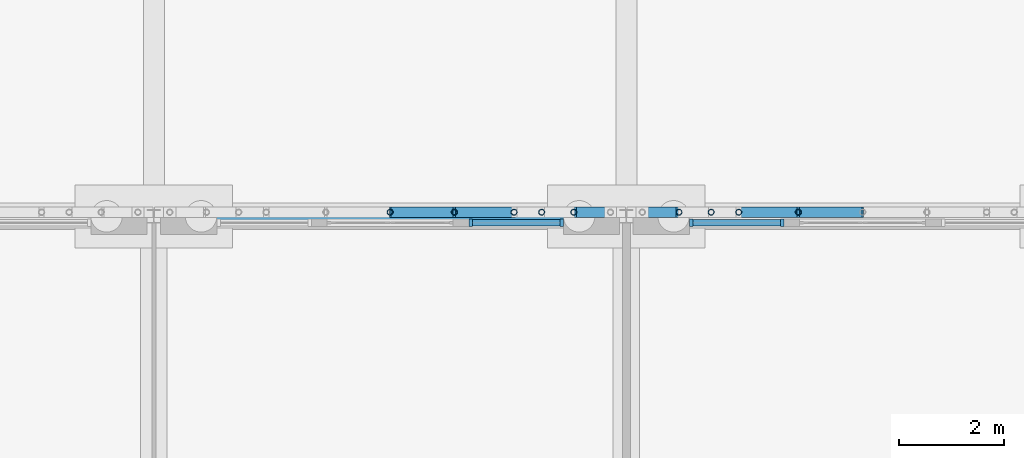
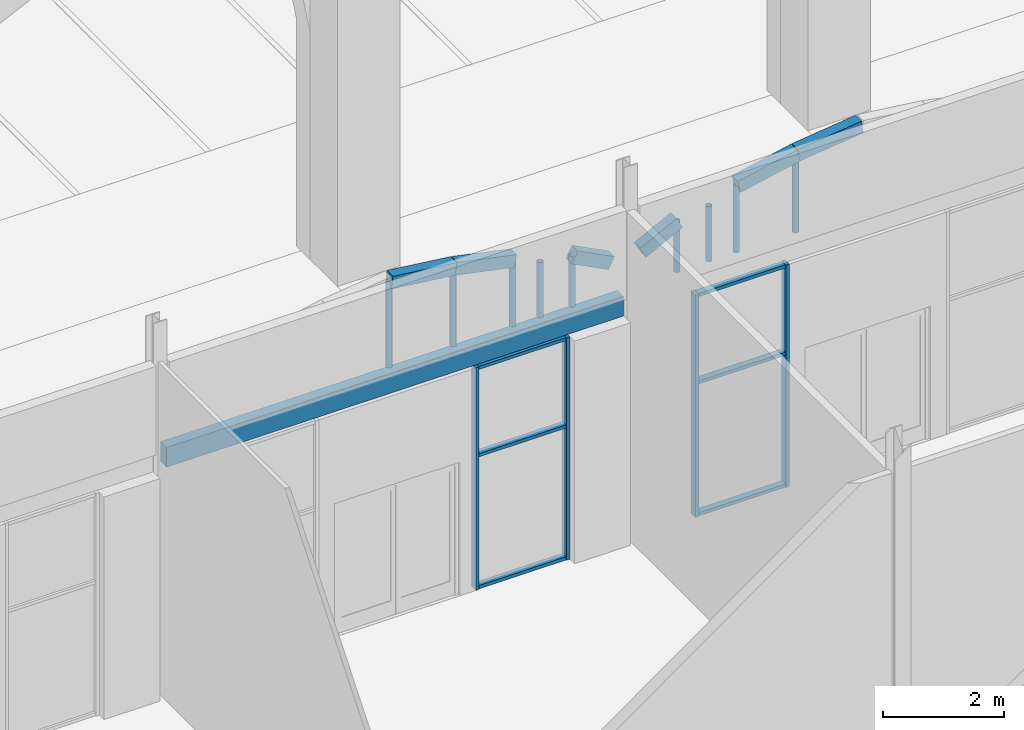
# One storey, part 48 of 250: 19 members, 7 beams, 2 elements without a shape of their own.
"""IFC4 building model written with IfcOpenShell, lengths in metres."""

from ifc_helpers import new_model, si_unit, direction, frame, origin, origin_2d, place, context, subcontext, project, spatial, rectangle, hollow_circle, extrude, material, material_profile, profile_set, type_object, element, aggregate, save


model = new_model("IFC4")

# Units and contexts
model_context = context("Model", 3, precision=1e-05, world=origin(), true_north=direction((0.0, 1.0)))
body_context = subcontext(model_context, "Body", "Model", "MODEL_VIEW")
ifc_project = project(units=[si_unit("LENGTHUNIT", "METRE"), si_unit("AREAUNIT", "SQUARE_METRE"), si_unit("VOLUMEUNIT", "CUBIC_METRE"), si_unit("PLANEANGLEUNIT", "RADIAN"), si_unit("MASSUNIT", "GRAM", prefix="KILO")], contexts=[model_context])

# Site, building, storey
site_placement = place(None, origin())
site = spatial("IfcSite", under=ifc_project, at=site_placement, CompositionType="ELEMENT")
building_placement = place(site_placement, origin())
building = spatial("IfcBuilding", under=site, at=building_placement, Name="Baradari Gate Terminus", CompositionType="ELEMENT")
storey_placement = place(building_placement, origin())
storey = spatial("IfcBuildingStorey", under=building, at=storey_placement, Name="L00", CompositionType="ELEMENT", Elevation=0.0)

# Members
ifc_material_1 = material(Name="Steel S355", Category="steel")
ifc_material_profile_1 = material_profile(ifc_material_1, hollow_circle(Radius=0.05712890625, WallThickness=0.00634765625, at=origin_2d()), Name="CHS 114.3x6.3")
ifc_profile_set_1 = profile_set([ifc_material_profile_1], Name="Steel S355")
member_type_1 = type_object("IfcMemberType", Name="Arcade arch post SP-2 114x6.3", PredefinedType="POST", material=ifc_profile_set_1)
member_1_placement = place(storey_placement, frame((103.5, 108.07861328125, 4.89990234375), z_axis=(0.0, 0.0, 1.0), x_axis=(1.0, 0.0, 0.0)))
element("IfcMember", 1, at=member_1_placement, inside=storey, type_object=member_type_1, Name="Arcade arch post 11.7", PredefinedType="POST", context=body_context, shape_type="SweptSolid", body=[
    extrude(hollow_circle(Radius=0.05712890625, WallThickness=0.00634765625, at=origin_2d()), origin(), (0.0, 0.0, 1.0), 1.7421875),
])
member_2_placement = place(storey_placement, frame((104.72412109375, 108.07861328125, 4.89990234375), z_axis=(0.0, 0.0, 1.0), x_axis=(1.0, 0.0, 0.0)))
element("IfcMember", 2, at=member_2_placement, inside=storey, type_object=member_type_1, Name="Arcade arch post 11.8", PredefinedType="POST", context=body_context, shape_type="SweptSolid", body=[
    extrude(hollow_circle(Radius=0.05712890625, WallThickness=0.00634765625, at=origin_2d()), origin(), (0.0, 0.0, 1.0), 1.593017578125),
])
member_3_placement = place(storey_placement, frame((105.86083984375, 108.07861328125, 4.89990234375), z_axis=(0.0, 0.0, 1.0), x_axis=(1.0, 0.0, 0.0)))
element("IfcMember", 3, at=member_3_placement, inside=storey, type_object=member_type_1, Name="Arcade arch post 11.9", PredefinedType="POST", context=body_context, shape_type="SweptSolid", body=[
    extrude(hollow_circle(Radius=0.05712890625, WallThickness=0.00634765625, at=origin_2d()), origin(), (0.0, 0.0, 1.0), 1.354248046875),
])
member_4_placement = place(storey_placement, frame((106.385498046875, 108.07861328125, 4.89990234375), z_axis=(0.0, 0.0, 1.0), x_axis=(1.0, 0.0, 0.0)))
element("IfcMember", 4, at=member_4_placement, inside=storey, type_object=member_type_1, Name="Arcade arch post 11.10", PredefinedType="POST", context=body_context, shape_type="SweptSolid", body=[
    extrude(hollow_circle(Radius=0.05712890625, WallThickness=0.00634765625, at=origin_2d()), origin(), (0.0, 0.0, 1.0), 1.115478515625),
])
for number, where, z_axis, x_axis, name in (
    (5, (106.99755859375, 108.07861328125, 4.89990234375), (0.0, 0.0, 1.0), (1.0, 0.0, 0.0), "Arcade arch post 11.11"),
    (6, (109.00244140625, 108.07861328125, 4.89990234375), (0.0, 0.0, 1.0), (1.0, 0.0, 0.0), "Arcade arch post 12.3"),
):
    element("IfcMember", number, at=place(storey_placement, frame(where, z_axis=z_axis, x_axis=x_axis)), inside=storey, type_object=member_type_1, Name=name, PredefinedType="POST", context=body_context, shape_type="SweptSolid", body=[
        extrude(hollow_circle(Radius=0.05712890625, WallThickness=0.00634765625, at=origin_2d()), origin(), (0.0, 0.0, 1.0), 1.02587890625),
    ])
member_5_placement = place(storey_placement, frame((109.614501953125, 108.07861328125, 4.89990234375), z_axis=(0.0, 0.0, 1.0), x_axis=(1.0, 0.0, 0.0)))
element("IfcMember", 7, at=member_5_placement, inside=storey, type_object=member_type_1, Name="Arcade arch post 12.4", PredefinedType="POST", context=body_context, shape_type="SweptSolid", body=[
    extrude(hollow_circle(Radius=0.05712890625, WallThickness=0.00634765625, at=origin_2d()), origin(), (0.0, 0.0, 1.0), 1.115478515625),
])
member_6_placement = place(storey_placement, frame((110.13916015625, 108.07861328125, 4.89990234375), z_axis=(0.0, 0.0, 1.0), x_axis=(1.0, 0.0, 0.0)))
element("IfcMember", 8, at=member_6_placement, inside=storey, type_object=member_type_1, Name="Arcade arch post 12.5", PredefinedType="POST", context=body_context, shape_type="SweptSolid", body=[
    extrude(hollow_circle(Radius=0.05712890625, WallThickness=0.00634765625, at=origin_2d()), origin(), (0.0, 0.0, 1.0), 1.354248046875),
])
member_7_placement = place(storey_placement, frame((111.27587890625, 108.07861328125, 4.89990234375), z_axis=(0.0, 0.0, 1.0), x_axis=(1.0, 0.0, 0.0)))
element("IfcMember", 9, at=member_7_placement, inside=storey, type_object=member_type_1, Name="Arcade arch post 12.6", PredefinedType="POST", context=body_context, shape_type="SweptSolid", body=[
    extrude(hollow_circle(Radius=0.05712890625, WallThickness=0.00634765625, at=origin_2d()), origin(), (0.0, 0.0, 1.0), 1.593017578125),
])

# Beams
ifc_material_2 = material(Name="Concrete C40/50 precast", Category="concrete")
ifc_material_profile_2 = material_profile(ifc_material_2, rectangle(XDim=0.199951171875, YDim=0.25, at=origin_2d()), Name="AB-1 200X250")
ifc_profile_set_2 = profile_set([ifc_material_profile_2], Name="Concrete C40/50 precast")
beam_type_1 = type_object("IfcBeamType", Name="Arcade arch segment AB-1 200x250", PredefinedType="BEAM", material=ifc_profile_set_2)
beam_1_placement = place(storey_placement, frame((103.5, 108.07861328125, 6.64208984375), z_axis=(0.992656897947, 0.0, -0.120963973802), x_axis=(0.0, 1.0, 0.0)))
element("IfcBeam", 10, at=beam_1_placement, inside=storey, type_object=beam_type_1, Name="Arcade arch AB-1 bay 11 segment 7", PredefinedType="BEAM", context=body_context, shape_type="SweptSolid", body=[
    extrude(rectangle(XDim=0.199951171875, YDim=0.25, at=origin_2d()), origin(), (0.0, 0.0, 1.0), 1.233154296875),
])
beam_2_placement = place(storey_placement, frame((104.72412109375, 108.07861328125, 6.492919921875), z_axis=(0.978643349291, 0.0, -0.205565548885), x_axis=(0.0, 1.0, 0.0)))
element("IfcBeam", 11, at=beam_2_placement, inside=storey, type_object=beam_type_1, Name="Arcade arch AB-1 bay 11 segment 8", PredefinedType="BEAM", context=body_context, shape_type="SweptSolid", body=[
    extrude(rectangle(XDim=0.199951171875, YDim=0.25, at=origin_2d()), origin(), (0.0, 0.0, 1.0), 1.16162109375),
])
for number, where, z_axis, x_axis, name in (
    (12, (106.99755859375, 108.07861328125, 5.92578125), (0.89022472097, 0.0, -0.455521619875), (0.0, 1.0, 0.0), "Arcade arch AB-1 bay 11 segment 11"),
    (13, (108.302978515625, 108.07861328125, 5.56787109375), (0.89022472097, 0.0, 0.455521619875), (0.0, 1.0, 0.0), "Arcade arch AB-1 bay 12 segment 2"),
):
    element("IfcBeam", number, at=place(storey_placement, frame(where, z_axis=z_axis, x_axis=x_axis)), inside=storey, type_object=beam_type_1, Name=name, PredefinedType="BEAM", context=body_context, shape_type="SweptSolid", body=[
        extrude(rectangle(XDim=0.199951171875, YDim=0.25, at=origin_2d()), origin(), (0.0, 0.0, 1.0), 0.78564453125),
    ])
beam_3_placement = place(storey_placement, frame((110.13916015625, 108.07861328125, 6.254150390625), z_axis=(0.978643349291, 0.0, 0.205565548885), x_axis=(0.0, 1.0, 0.0)))
element("IfcBeam", 14, at=beam_3_placement, inside=storey, type_object=beam_type_1, Name="Arcade arch AB-1 bay 12 segment 5", PredefinedType="BEAM", context=body_context, shape_type="SweptSolid", body=[
    extrude(rectangle(XDim=0.199951171875, YDim=0.25, at=origin_2d()), origin(), (0.0, 0.0, 1.0), 1.16162109375),
])
beam_4_placement = place(storey_placement, frame((111.27587890625, 108.07861328125, 6.492919921875), z_axis=(0.992656897947, 0.0, 0.120963973802), x_axis=(0.0, 1.0, 0.0)))
element("IfcBeam", 15, at=beam_4_placement, inside=storey, type_object=beam_type_1, Name="Arcade arch AB-1 bay 12 segment 6", PredefinedType="BEAM", context=body_context, shape_type="SweptSolid", body=[
    extrude(rectangle(XDim=0.199951171875, YDim=0.25, at=origin_2d()), origin(), (0.0, 0.0, 1.0), 1.233154296875),
])
ifc_material_3 = material(Name="Concrete C50/60 precast", Category="concrete")
ifc_material_profile_3 = material_profile(ifc_material_3, rectangle(XDim=0.199951171875, YDim=0.39990234375, at=origin_2d()), Name="LB-1 200X400")
ifc_profile_set_3 = profile_set([ifc_material_profile_3], Name="Concrete C50/60 precast")
beam_type_2 = type_object("IfcBeamType", Name="Arcade lintel LB-1 200x400", PredefinedType="LINTEL", material=ifc_profile_set_3)
beam_5_placement = place(storey_placement, frame((99.128173828125, 107.978515625, 4.699951171875), z_axis=(1.0, 0.0, 0.0), x_axis=(0.0, 1.0, 0.0)))
element("IfcBeam", 16, at=beam_5_placement, inside=storey, type_object=beam_type_2, Name="Arcade lintel LB-1 bay 11", PredefinedType="LINTEL", context=body_context, shape_type="SweptSolid", body=[
    extrude(rectangle(XDim=0.199951171875, YDim=0.39990234375, at=origin_2d()), origin(), (0.0, 0.0, 1.0), 8.74365234375),
])

# Curtain wall, members
ifc_material_4 = material(Name="Aluminium 6063-T6", Category="aluminium")
curtain_wall_type = type_object("IfcCurtainWallType", Name="Curtain wall CW-2 shopfront", PredefinedType="NOTDEFINED", material=ifc_material_4)
curtain_wall_1_placement = place(storey_placement, origin())
curtain_wall_1 = element("IfcCurtainWall", 17, at=curtain_wall_1_placement, inside=storey, type_object=curtain_wall_type, Name="Shopfront curtain wall CW-2 HN bay 11 L00", PredefinedType="NOTDEFINED")
ifc_material_5 = material(Name="Aluminium 6063-T6", Category="aluminium")
ifc_material_profile_4 = material_profile(ifc_material_5, rectangle(XDim=0.14990234375, YDim=0.06494140625, at=origin_2d()), Name="CM-2 65X150")
ifc_profile_set_4 = profile_set([ifc_material_profile_4], Name="Aluminium 6063-T6")
member_type_2 = type_object("IfcMemberType", Name="Curtain wall mullion CM-2 65x150", PredefinedType="MULLION", material=ifc_profile_set_4)
member_8_placement = place(storey_placement, frame((105.032470703125, 107.87841796875, 0.0), z_axis=(0.0, 0.0, 1.0), x_axis=(0.0, 1.0, 0.0)))
member_8 = element("IfcMember", 18, at=member_8_placement, type_object=member_type_2, Name="CW-2 mullion 1", PredefinedType="MULLION", context=body_context, shape_type="SweptSolid", body=[
    extrude(rectangle(XDim=0.14990234375, YDim=0.06494140625, at=origin_2d()), origin(), (0.0, 0.0, 1.0), 4.5),
])
member_9_placement = place(storey_placement, frame((106.767578125, 107.87841796875, 0.0), z_axis=(0.0, 0.0, 1.0), x_axis=(0.0, 1.0, 0.0)))
member_9 = element("IfcMember", 19, at=member_9_placement, type_object=member_type_2, Name="CW-2 mullion 2", PredefinedType="MULLION", context=body_context, shape_type="SweptSolid", body=[
    extrude(rectangle(XDim=0.14990234375, YDim=0.06494140625, at=origin_2d()), origin(), (0.0, 0.0, 1.0), 4.5),
])

curtain_wall_2_placement = place(storey_placement, origin())
curtain_wall_2 = element("IfcCurtainWall", 20, at=curtain_wall_2_placement, inside=storey, type_object=curtain_wall_type, Name="Shopfront curtain wall CW-2 HN bay 12 L00", PredefinedType="NOTDEFINED")
member_10_placement = place(storey_placement, frame((109.232421875, 107.87841796875, 0.0), z_axis=(0.0, 0.0, 1.0), x_axis=(0.0, 1.0, 0.0)))
member_10 = element("IfcMember", 21, at=member_10_placement, type_object=member_type_2, Name="CW-2 mullion 1", PredefinedType="MULLION", context=body_context, shape_type="SweptSolid", body=[
    extrude(rectangle(XDim=0.14990234375, YDim=0.06494140625, at=origin_2d()), origin(), (0.0, 0.0, 1.0), 4.5),
])
member_11_placement = place(storey_placement, frame((110.967529296875, 107.87841796875, 0.0), z_axis=(0.0, 0.0, 1.0), x_axis=(0.0, 1.0, 0.0)))
member_11 = element("IfcMember", 22, at=member_11_placement, type_object=member_type_2, Name="CW-2 mullion 2", PredefinedType="MULLION", context=body_context, shape_type="SweptSolid", body=[
    extrude(rectangle(XDim=0.14990234375, YDim=0.06494140625, at=origin_2d()), origin(), (0.0, 0.0, 1.0), 4.5),
])

# Member
ifc_material_6 = material(Name="Aluminium 6063-T6", Category="aluminium")
ifc_material_profile_5 = material_profile(ifc_material_6, rectangle(XDim=0.1201171875, YDim=0.06494140625, at=origin_2d()), Name="CT-2 65X120")
ifc_profile_set_5 = profile_set([ifc_material_profile_5], Name="Aluminium 6063-T6")
member_type_3 = type_object("IfcMemberType", Name="Curtain wall transom CT-2 65x120", PredefinedType="USERDEFINED", material=ifc_profile_set_5)
member_12_placement = place(storey_placement, frame((105.06494140625, 107.87841796875, 0.032470703125), z_axis=(1.0, 0.0, 0.0), x_axis=(0.0, 1.0, 0.0)))
member_12 = element("IfcMember", 23, at=member_12_placement, type_object=member_type_3, Name="CW-2 transom 1.1", ObjectType="TRANSOM", PredefinedType="USERDEFINED", context=body_context, shape_type="SweptSolid", body=[
    extrude(rectangle(XDim=0.1201171875, YDim=0.06494140625, at=origin_2d()), origin(), (0.0, 0.0, 1.0), 1.670166015625),
])

member_13_placement = place(storey_placement, frame((105.06494140625, 107.87841796875, 2.699951171875), z_axis=(1.0, 0.0, 0.0), x_axis=(0.0, 1.0, 0.0)))
member_13 = element("IfcMember", 24, at=member_13_placement, type_object=member_type_3, Name="CW-2 transom 1.2", ObjectType="TRANSOM", PredefinedType="USERDEFINED", context=body_context, shape_type="SweptSolid", body=[
    extrude(rectangle(XDim=0.1201171875, YDim=0.06494140625, at=origin_2d()), origin(), (0.0, 0.0, 1.0), 1.670166015625),
])

member_14_placement = place(storey_placement, frame((105.06494140625, 107.87841796875, 4.467529296875), z_axis=(1.0, 0.0, 0.0), x_axis=(0.0, 1.0, 0.0)))
member_14 = element("IfcMember", 25, at=member_14_placement, type_object=member_type_3, Name="CW-2 transom 1.3", ObjectType="TRANSOM", PredefinedType="USERDEFINED", context=body_context, shape_type="SweptSolid", body=[
    extrude(rectangle(XDim=0.1201171875, YDim=0.06494140625, at=origin_2d()), origin(), (0.0, 0.0, 1.0), 1.670166015625),
])

aggregate(curtain_wall_1, [member_8, member_9, member_12, member_13, member_14])

member_15_placement = place(storey_placement, frame((109.264892578125, 107.87841796875, 0.032470703125), z_axis=(1.0, 0.0, 0.0), x_axis=(0.0, 1.0, 0.0)))
member_15 = element("IfcMember", 26, at=member_15_placement, type_object=member_type_3, Name="CW-2 transom 1.1", ObjectType="TRANSOM", PredefinedType="USERDEFINED", context=body_context, shape_type="SweptSolid", body=[
    extrude(rectangle(XDim=0.1201171875, YDim=0.06494140625, at=origin_2d()), origin(), (0.0, 0.0, 1.0), 1.670166015625),
])

member_16_placement = place(storey_placement, frame((109.264892578125, 107.87841796875, 2.699951171875), z_axis=(1.0, 0.0, 0.0), x_axis=(0.0, 1.0, 0.0)))
member_16 = element("IfcMember", 27, at=member_16_placement, type_object=member_type_3, Name="CW-2 transom 1.2", ObjectType="TRANSOM", PredefinedType="USERDEFINED", context=body_context, shape_type="SweptSolid", body=[
    extrude(rectangle(XDim=0.1201171875, YDim=0.06494140625, at=origin_2d()), origin(), (0.0, 0.0, 1.0), 1.670166015625),
])

member_17_placement = place(storey_placement, frame((109.264892578125, 107.87841796875, 4.467529296875), z_axis=(1.0, 0.0, 0.0), x_axis=(0.0, 1.0, 0.0)))
member_17 = element("IfcMember", 28, at=member_17_placement, type_object=member_type_3, Name="CW-2 transom 1.3", ObjectType="TRANSOM", PredefinedType="USERDEFINED", context=body_context, shape_type="SweptSolid", body=[
    extrude(rectangle(XDim=0.1201171875, YDim=0.06494140625, at=origin_2d()), origin(), (0.0, 0.0, 1.0), 1.670166015625),
])

aggregate(curtain_wall_2, [member_10, member_11, member_15, member_16, member_17])

save(model, "model.ifc")
